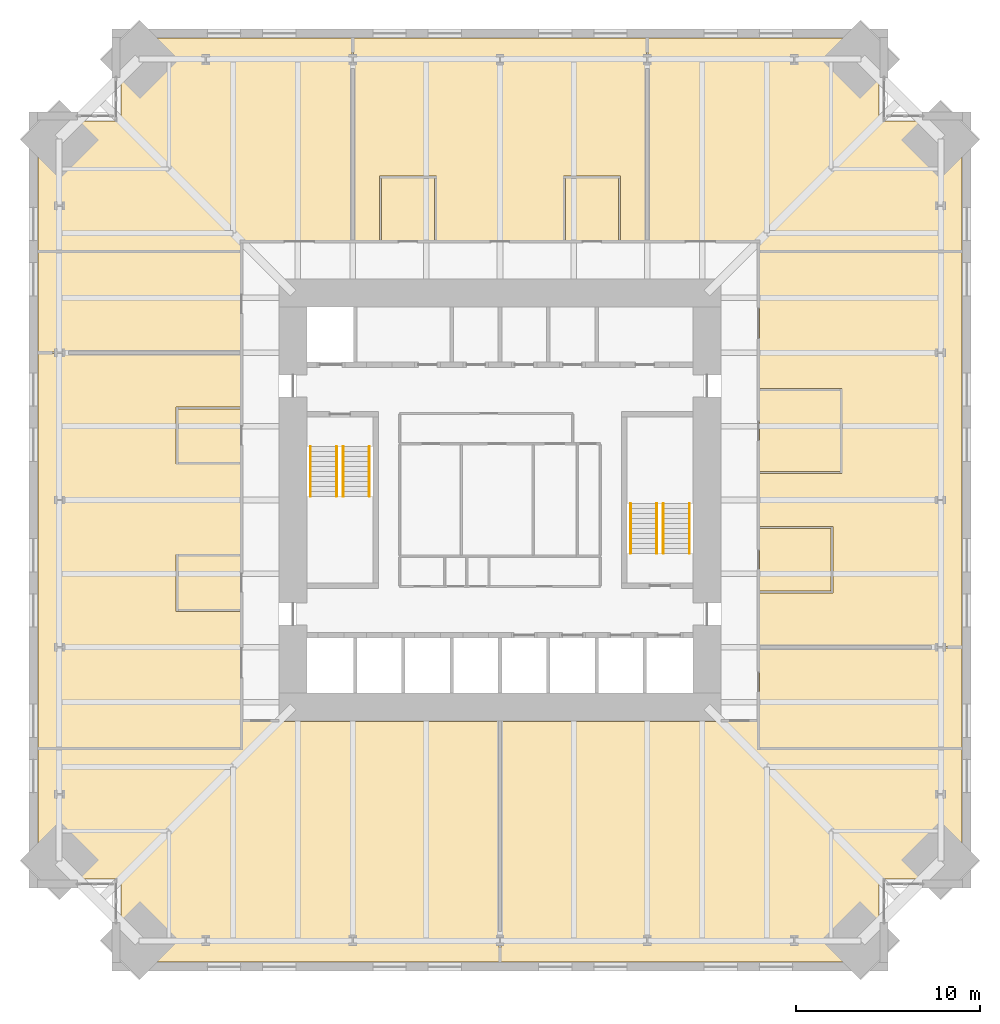
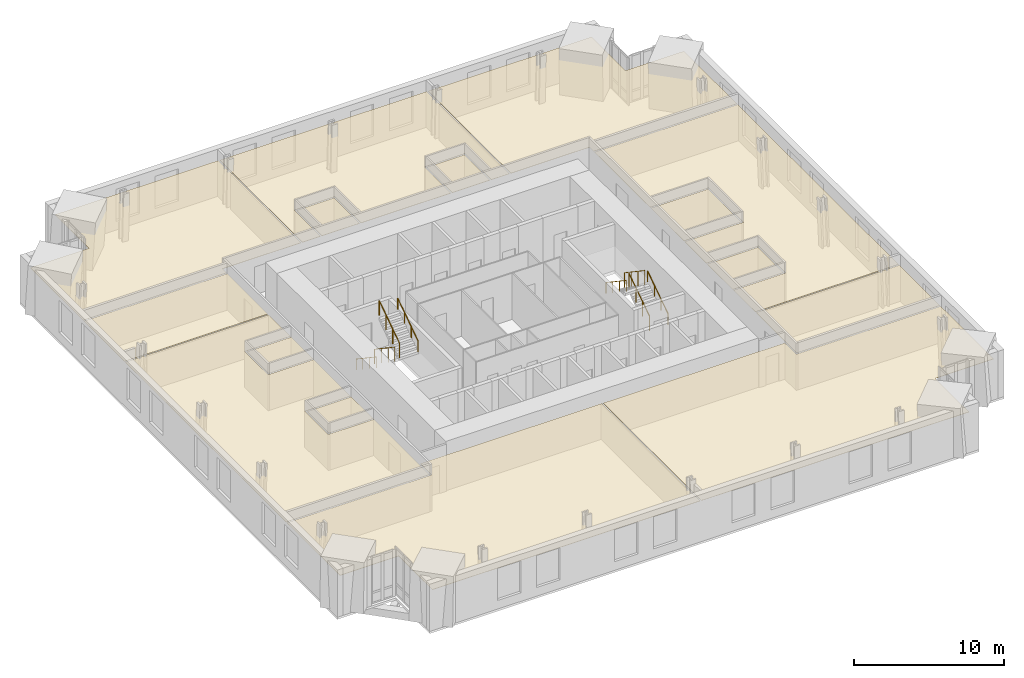
# One storey, part 18 of 18: 15 coverings, 8 railings.
"""IFC4 building model written with IfcOpenShell, lengths in metres."""

from ifc_helpers import new_model, si_unit, direction, frame, origin, origin_2d, place, context, subcontext, project, spatial, polyline, circle, outline, extrude, material, layer, layer_set, type_object, element, save


model = new_model("IFC4")

# Units and contexts
model_context = context("Model", 3, precision=1e-05, world=origin(), true_north=direction((0.0, 1.0)))
body_context = subcontext(model_context, "Body", "Model", "MODEL_VIEW")
ifc_project = project(units=[si_unit("LENGTHUNIT", "METRE"), si_unit("AREAUNIT", "SQUARE_METRE"), si_unit("VOLUMEUNIT", "CUBIC_METRE"), si_unit("PLANEANGLEUNIT", "RADIAN"), si_unit("MASSUNIT", "GRAM", prefix="KILO")], contexts=[model_context])

# Site, building, storey
site_placement = place(None, origin())
site = spatial("IfcSite", under=ifc_project, at=site_placement, CompositionType="ELEMENT")
building_placement = place(site_placement, origin())
building = spatial("IfcBuilding", under=site, at=building_placement, Name="Peilmerk Tower", CompositionType="ELEMENT")
storey_placement = place(building_placement, frame((0.0, 0.0, 171.800048828125)))
storey = spatial("IfcBuildingStorey", under=building, at=storey_placement, Name="L36", CompositionType="ELEMENT", Elevation=171.800048828125)

# Coverings
ifc_material_1 = material(Name="Mineral fibre ceiling tiles", Category="mineral")
ifc_layer = layer(ifc_material_1, 0.02490234375)
ifc_layer_set = layer_set([ifc_layer], Name="Mineral fibre ceiling tiles")
covering_type = type_object("IfcCoveringType", Name="CL1 25 suspended ceiling", PredefinedType="CEILING", material=ifc_layer_set)
covering_1_placement = place(storey_placement, frame((0.0, 0.0, 2.905029296875)))
element("IfcCovering", 1, at=covering_1_placement, inside=storey, type_object=covering_type, Name="Suspended ceiling Open workspace", PredefinedType="CEILING", context=body_context, shape_type="SweptSolid", body=[
    extrude(outline(polyline([(-25.10009765625, 20.60009765625), (-25.10009765625, 13.550048828125), (-14.10009765625, 13.550048828125), (-14.10009765625, 14.10009765625), (-8.050048828125, 14.10009765625), (-8.050048828125, 25.10009765625), (-20.60009765625, 25.10009765625), (-20.60009765625, 20.60009765625), (-25.10009765625, 20.60009765625)])), origin(), (0.0, 0.0, 1.0), 0.02490234375),
])
covering_2_placement = place(storey_placement, frame((0.0, 0.0, 2.905029296875)))
element("IfcCovering", 2, at=covering_2_placement, inside=storey, type_object=covering_type, Name="Suspended ceiling Project room", PredefinedType="CEILING", context=body_context, shape_type="SweptSolid", body=[
    extrude(outline(polyline([(7.949951171875, 14.10009765625), (7.949951171875, 25.10009765625), (-7.949951171875, 25.10009765625), (-7.949951171875, 14.10009765625), (-6.550048828125, 14.10009765625), (-6.550048828125, 17.60009765625), (-3.449951171875, 17.60009765625), (-3.449951171875, 14.10009765625), (3.449951171875, 14.10009765625), (3.449951171875, 17.60009765625), (6.550048828125, 17.60009765625), (6.550048828125, 14.10009765625), (7.949951171875, 14.10009765625)])), origin(), (0.0, 0.0, 1.0), 0.02490234375),
])
covering_3_placement = place(storey_placement, frame((0.0, 0.0, 2.905029296875)))
element("IfcCovering", 3, at=covering_3_placement, inside=storey, type_object=covering_type, Name="Suspended ceiling Open workspace", PredefinedType="CEILING", context=body_context, shape_type="SweptSolid", body=[
    extrude(outline(polyline([(20.60009765625, 25.10009765625), (8.050048828125, 25.10009765625), (8.050048828125, 14.10009765625), (14.10009765625, 14.10009765625), (14.10009765625, 13.550048828125), (25.10009765625, 13.550048828125), (25.10009765625, 20.60009765625), (20.60009765625, 20.60009765625), (20.60009765625, 25.10009765625)])), origin(), (0.0, 0.0, 1.0), 0.02490234375),
])
covering_4_placement = place(storey_placement, frame((0.0, 0.0, 2.905029296875)))
element("IfcCovering", 4, at=covering_4_placement, inside=storey, type_object=covering_type, Name="Suspended ceiling Focus room", PredefinedType="CEILING", context=body_context, shape_type="SweptSolid", body=[
    extrude(outline(polyline([(-3.550048828125, 14.10009765625), (-3.550048828125, 17.5), (-6.449951171875, 17.5), (-6.449951171875, 14.10009765625), (-3.550048828125, 14.10009765625)])), origin(), (0.0, 0.0, 1.0), 0.02490234375),
])
covering_5_placement = place(storey_placement, frame((0.0, 0.0, 2.905029296875)))
element("IfcCovering", 5, at=covering_5_placement, inside=storey, type_object=covering_type, Name="Suspended ceiling Focus room", PredefinedType="CEILING", context=body_context, shape_type="SweptSolid", body=[
    extrude(outline(polyline([(6.449951171875, 14.10009765625), (6.449951171875, 17.5), (3.550048828125, 17.5), (3.550048828125, 14.10009765625), (6.449951171875, 14.10009765625)])), origin(), (0.0, 0.0, 1.0), 0.02490234375),
])
covering_6_placement = place(storey_placement, frame((0.0, 0.0, 2.905029296875)))
element("IfcCovering", 6, at=covering_6_placement, inside=storey, type_object=covering_type, Name="Suspended ceiling Open workspace", PredefinedType="CEILING", context=body_context, shape_type="SweptSolid", body=[
    extrude(outline(polyline([(-20.60009765625, -25.10009765625), (-0.050048828125, -25.10009765625), (-0.050048828125, -12.050048828125), (-14.0, -12.050048828125), (-14.0, -13.550048828125), (-25.10009765625, -13.550048828125), (-25.10009765625, -20.60009765625), (-20.60009765625, -20.60009765625), (-20.60009765625, -25.10009765625)])), origin(), (0.0, 0.0, 1.0), 0.02490234375),
])
covering_7_placement = place(storey_placement, frame((0.0, 0.0, 2.905029296875)))
element("IfcCovering", 7, at=covering_7_placement, inside=storey, type_object=covering_type, Name="Suspended ceiling Open workspace", PredefinedType="CEILING", context=body_context, shape_type="SweptSolid", body=[
    extrude(outline(polyline([(0.050048828125, -25.10009765625), (20.60009765625, -25.10009765625), (20.60009765625, -20.60009765625), (25.10009765625, -20.60009765625), (25.10009765625, -13.550048828125), (14.0, -13.550048828125), (14.0, -12.050048828125), (0.050048828125, -12.050048828125), (0.050048828125, -25.10009765625)])), origin(), (0.0, 0.0, 1.0), 0.02490234375),
])
covering_8_placement = place(storey_placement, frame((0.0, 0.0, 2.905029296875)))
element("IfcCovering", 8, at=covering_8_placement, inside=storey, type_object=covering_type, Name="Suspended ceiling Project room", PredefinedType="CEILING", context=body_context, shape_type="SweptSolid", body=[
    extrude(outline(polyline([(25.10009765625, -13.449951171875), (25.10009765625, -8.050048828125), (14.10009765625, -8.050048828125), (14.10009765625, -13.449951171875), (25.10009765625, -13.449951171875)])), origin(), (0.0, 0.0, 1.0), 0.02490234375),
])
covering_9_placement = place(storey_placement, frame((0.0, 0.0, 2.905029296875)))
element("IfcCovering", 9, at=covering_9_placement, inside=storey, type_object=covering_type, Name="Suspended ceiling Open workspace", PredefinedType="CEILING", context=body_context, shape_type="SweptSolid", body=[
    extrude(outline(polyline([(14.10009765625, -7.949951171875), (25.10009765625, -7.949951171875), (25.10009765625, 13.449951171875), (14.10009765625, 13.449951171875), (14.10009765625, 6.050048828125), (18.60009765625, 6.050048828125), (18.60009765625, 1.449951171875), (14.10009765625, 1.449951171875), (14.10009765625, -1.449951171875), (18.10009765625, -1.449951171875), (18.10009765625, -5.050048828125), (14.10009765625, -5.050048828125), (14.10009765625, -7.949951171875)])), origin(), (0.0, 0.0, 1.0), 0.02490234375),
])
covering_10_placement = place(storey_placement, frame((0.0, 0.0, 2.905029296875)))
element("IfcCovering", 10, at=covering_10_placement, inside=storey, type_object=covering_type, Name="Suspended ceiling Meeting room", PredefinedType="CEILING", context=body_context, shape_type="SweptSolid", body=[
    extrude(outline(polyline([(18.5, 1.550048828125), (18.5, 5.949951171875), (14.10009765625, 5.949951171875), (14.10009765625, 1.550048828125), (18.5, 1.550048828125)])), origin(), (0.0, 0.0, 1.0), 0.02490234375),
])
covering_11_placement = place(storey_placement, frame((0.0, 0.0, 2.905029296875)))
element("IfcCovering", 11, at=covering_11_placement, inside=storey, type_object=covering_type, Name="Suspended ceiling Pantry", PredefinedType="CEILING", context=body_context, shape_type="SweptSolid", body=[
    extrude(outline(polyline([(18.0, -4.949951171875), (18.0, -1.550048828125), (14.10009765625, -1.550048828125), (14.10009765625, -4.949951171875), (18.0, -4.949951171875)])), origin(), (0.0, 0.0, 1.0), 0.02490234375),
])
covering_12_placement = place(storey_placement, frame((0.0, 0.0, 2.905029296875)))
element("IfcCovering", 12, at=covering_12_placement, inside=storey, type_object=covering_type, Name="Suspended ceiling Open workspace", PredefinedType="CEILING", context=body_context, shape_type="SweptSolid", body=[
    extrude(outline(polyline([(-14.10009765625, 7.949951171875), (-25.10009765625, 7.949951171875), (-25.10009765625, -13.449951171875), (-14.10009765625, -13.449951171875), (-14.10009765625, -6.050048828125), (-17.60009765625, -6.050048828125), (-17.60009765625, -2.949951171875), (-14.10009765625, -2.949951171875), (-14.10009765625, 1.949951171875), (-17.60009765625, 1.949951171875), (-17.60009765625, 5.050048828125), (-14.10009765625, 5.050048828125), (-14.10009765625, 7.949951171875)])), origin(), (0.0, 0.0, 1.0), 0.02490234375),
])
covering_13_placement = place(storey_placement, frame((0.0, 0.0, 2.905029296875)))
element("IfcCovering", 13, at=covering_13_placement, inside=storey, type_object=covering_type, Name="Suspended ceiling Meeting room", PredefinedType="CEILING", context=body_context, shape_type="SweptSolid", body=[
    extrude(outline(polyline([(-25.10009765625, 13.449951171875), (-25.10009765625, 8.050048828125), (-14.10009765625, 8.050048828125), (-14.10009765625, 13.449951171875), (-25.10009765625, 13.449951171875)])), origin(), (0.0, 0.0, 1.0), 0.02490234375),
])
covering_14_placement = place(storey_placement, frame((0.0, 0.0, 2.905029296875)))
element("IfcCovering", 14, at=covering_14_placement, inside=storey, type_object=covering_type, Name="Suspended ceiling Focus room", PredefinedType="CEILING", context=body_context, shape_type="SweptSolid", body=[
    extrude(outline(polyline([(-14.10009765625, -5.949951171875), (-14.10009765625, -3.050048828125), (-17.5, -3.050048828125), (-17.5, -5.949951171875), (-14.10009765625, -5.949951171875)])), origin(), (0.0, 0.0, 1.0), 0.02490234375),
])
covering_15_placement = place(storey_placement, frame((0.0, 0.0, 2.905029296875)))
element("IfcCovering", 15, at=covering_15_placement, inside=storey, type_object=covering_type, Name="Suspended ceiling Focus room", PredefinedType="CEILING", context=body_context, shape_type="SweptSolid", body=[
    extrude(outline(polyline([(-14.10009765625, 2.050048828125), (-14.10009765625, 4.949951171875), (-17.5, 4.949951171875), (-17.5, 2.050048828125), (-14.10009765625, 2.050048828125)])), origin(), (0.0, 0.0, 1.0), 0.02490234375),
])

# Railings
ifc_material_2 = material(Name="Steel flat bar balustrade", Category="steel")
railing_type_1 = type_object("IfcRailingType", Name="GR1 1200 stair guard", PredefinedType="GUARDRAIL", material=ifc_material_2)
railing_1_placement = place(storey_placement, frame((-8.8798828125, 2.89990234375, 0.181884765625)))
element("IfcRailing", 16, at=railing_1_placement, inside=storey, type_object=railing_type_1, Name="Guard stair 1 L36", PredefinedType="GUARDRAIL", context=body_context, shape_type="SweptSolid", body=[
    extrude(circle(Radius=0.02392578125, at=origin_2d()), frame((0.0, 0.0, 1.17578125), z_axis=(0.0, -0.829468130872, 0.55855404382), x_axis=(1.0, 0.0, 0.0)), (0.0, 0.0, 1.0), 3.255126953125),
    extrude(circle(Radius=0.02099609375, at=origin_2d()), origin(), (0.0, 0.0, 1.0), 1.15185546875),
    extrude(circle(Radius=0.02099609375, at=origin_2d()), frame((0.0, -0.89990234375, 0.60595703125)), (0.0, 0.0, 1.0), 1.15185546875),
    extrude(circle(Radius=0.02099609375, at=origin_2d()), frame((0.0, -1.800048828125, 1.212158203125)), (0.0, 0.0, 1.0), 1.15185546875),
    extrude(circle(Radius=0.02099609375, at=origin_2d()), frame((0.0, -2.699951171875, 1.818115234375)), (0.0, 0.0, 1.0), 1.15185546875),
])
for number, where, name in (
    (17, (-8.52001953125, 0.199951171875, 2.181884765625), "Guard stair 1 L36"),
    (18, (8.8798828125, -2.89990234375, 0.181884765625), "Guard stair 2 L36"),
):
    element("IfcRailing", number, at=place(storey_placement, frame(where)), inside=storey, type_object=railing_type_1, Name=name, PredefinedType="GUARDRAIL", context=body_context, shape_type="SweptSolid", body=[
        extrude(circle(Radius=0.02392578125, at=origin_2d()), frame((0.0, 0.0, 1.17578125), z_axis=(0.0, 0.829468130872, 0.55855404382), x_axis=(-1.0, 0.0, 0.0)), (0.0, 0.0, 1.0), 3.255126953125),
        extrude(circle(Radius=0.02099609375, at=origin_2d()), origin(), (0.0, 0.0, 1.0), 1.15185546875),
        extrude(circle(Radius=0.02099609375, at=origin_2d()), frame((0.0, 0.89990234375, 0.60595703125)), (0.0, 0.0, 1.0), 1.15185546875),
        extrude(circle(Radius=0.02099609375, at=origin_2d()), frame((0.0, 1.800048828125, 1.212158203125)), (0.0, 0.0, 1.0), 1.15185546875),
        extrude(circle(Radius=0.02099609375, at=origin_2d()), frame((0.0, 2.699951171875, 1.818115234375)), (0.0, 0.0, 1.0), 1.15185546875),
    ])
railing_2_placement = place(storey_placement, frame((8.52001953125, -0.199951171875, 2.181884765625)))
element("IfcRailing", 19, at=railing_2_placement, inside=storey, type_object=railing_type_1, Name="Guard stair 2 L36", PredefinedType="GUARDRAIL", context=body_context, shape_type="SweptSolid", body=[
    extrude(circle(Radius=0.02392578125, at=origin_2d()), frame((0.0, 0.0, 1.17578125), z_axis=(0.0, -0.829468130872, 0.55855404382), x_axis=(1.0, 0.0, 0.0)), (0.0, 0.0, 1.0), 3.255126953125),
    extrude(circle(Radius=0.02099609375, at=origin_2d()), origin(), (0.0, 0.0, 1.0), 1.15185546875),
    extrude(circle(Radius=0.02099609375, at=origin_2d()), frame((0.0, -0.89990234375, 0.60595703125)), (0.0, 0.0, 1.0), 1.15185546875),
    extrude(circle(Radius=0.02099609375, at=origin_2d()), frame((0.0, -1.800048828125, 1.212158203125)), (0.0, 0.0, 1.0), 1.15185546875),
    extrude(circle(Radius=0.02099609375, at=origin_2d()), frame((0.0, -2.699951171875, 1.818115234375)), (0.0, 0.0, 1.0), 1.15185546875),
])
ifc_material_3 = material(Name="Stainless steel tube", Category="steel")
railing_type_2 = type_object("IfcRailingType", Name="HR1 900 stair handrail", PredefinedType="HANDRAIL", material=ifc_material_3)
railing_3_placement = place(storey_placement, frame((-10.300048828125, 2.89990234375, 0.181884765625)))
element("IfcRailing", 20, at=railing_3_placement, inside=storey, type_object=railing_type_2, Name="Handrail stair 1 L36", PredefinedType="HANDRAIL", context=body_context, shape_type="SweptSolid", body=[
    extrude(circle(Radius=0.02392578125, at=origin_2d()), frame((0.0, 0.0, 0.8759765625), z_axis=(0.0, -0.829468130872, 0.55855404382), x_axis=(1.0, 0.0, 0.0)), (0.0, 0.0, 1.0), 3.255126953125),
    extrude(circle(Radius=0.02099609375, at=origin_2d()), origin(), (0.0, 0.0, 1.0), 0.851806640625),
    extrude(circle(Radius=0.02099609375, at=origin_2d()), frame((0.0, -0.89990234375, 0.60595703125)), (0.0, 0.0, 1.0), 0.851806640625),
    extrude(circle(Radius=0.02099609375, at=origin_2d()), frame((0.0, -1.800048828125, 1.212158203125)), (0.0, 0.0, 1.0), 0.851806640625),
    extrude(circle(Radius=0.02099609375, at=origin_2d()), frame((0.0, -2.699951171875, 1.818115234375)), (0.0, 0.0, 1.0), 0.851806640625),
])
for number, where, name in (
    (21, (-7.10009765625, 0.199951171875, 2.181884765625), "Handrail stair 1 L36"),
    (22, (10.300048828125, -2.89990234375, 0.181884765625), "Handrail stair 2 L36"),
):
    element("IfcRailing", number, at=place(storey_placement, frame(where)), inside=storey, type_object=railing_type_2, Name=name, PredefinedType="HANDRAIL", context=body_context, shape_type="SweptSolid", body=[
        extrude(circle(Radius=0.02392578125, at=origin_2d()), frame((0.0, 0.0, 0.8759765625), z_axis=(0.0, 0.829468130872, 0.55855404382), x_axis=(-1.0, 0.0, 0.0)), (0.0, 0.0, 1.0), 3.255126953125),
        extrude(circle(Radius=0.02099609375, at=origin_2d()), origin(), (0.0, 0.0, 1.0), 0.851806640625),
        extrude(circle(Radius=0.02099609375, at=origin_2d()), frame((0.0, 0.89990234375, 0.60595703125)), (0.0, 0.0, 1.0), 0.851806640625),
        extrude(circle(Radius=0.02099609375, at=origin_2d()), frame((0.0, 1.800048828125, 1.212158203125)), (0.0, 0.0, 1.0), 0.851806640625),
        extrude(circle(Radius=0.02099609375, at=origin_2d()), frame((0.0, 2.699951171875, 1.818115234375)), (0.0, 0.0, 1.0), 0.851806640625),
    ])
railing_4_placement = place(storey_placement, frame((7.10009765625, -0.199951171875, 2.181884765625)))
element("IfcRailing", 23, at=railing_4_placement, inside=storey, type_object=railing_type_2, Name="Handrail stair 2 L36", PredefinedType="HANDRAIL", context=body_context, shape_type="SweptSolid", body=[
    extrude(circle(Radius=0.02392578125, at=origin_2d()), frame((0.0, 0.0, 0.8759765625), z_axis=(0.0, -0.829468130872, 0.55855404382), x_axis=(1.0, 0.0, 0.0)), (0.0, 0.0, 1.0), 3.255126953125),
    extrude(circle(Radius=0.02099609375, at=origin_2d()), origin(), (0.0, 0.0, 1.0), 0.851806640625),
    extrude(circle(Radius=0.02099609375, at=origin_2d()), frame((0.0, -0.89990234375, 0.60595703125)), (0.0, 0.0, 1.0), 0.851806640625),
    extrude(circle(Radius=0.02099609375, at=origin_2d()), frame((0.0, -1.800048828125, 1.212158203125)), (0.0, 0.0, 1.0), 0.851806640625),
    extrude(circle(Radius=0.02099609375, at=origin_2d()), frame((0.0, -2.699951171875, 1.818115234375)), (0.0, 0.0, 1.0), 0.851806640625),
])

save(model, "model.ifc")
